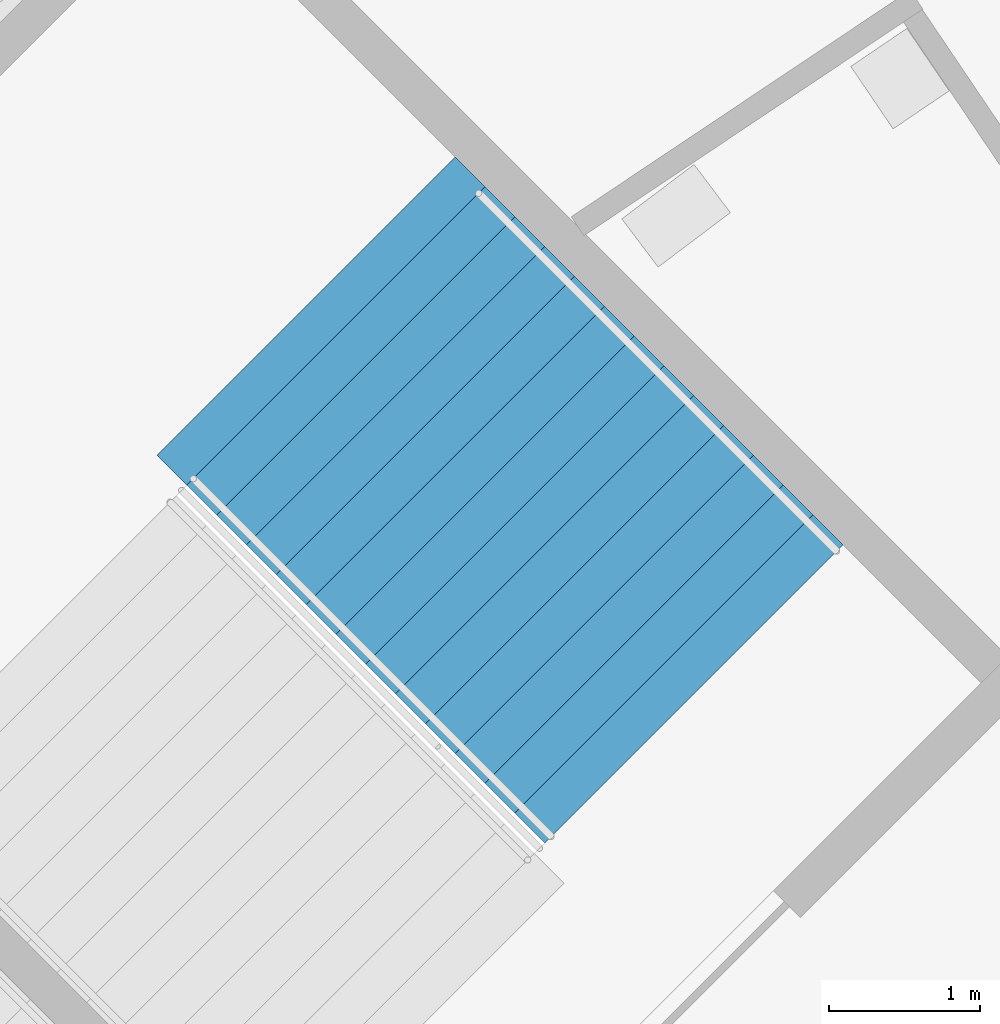
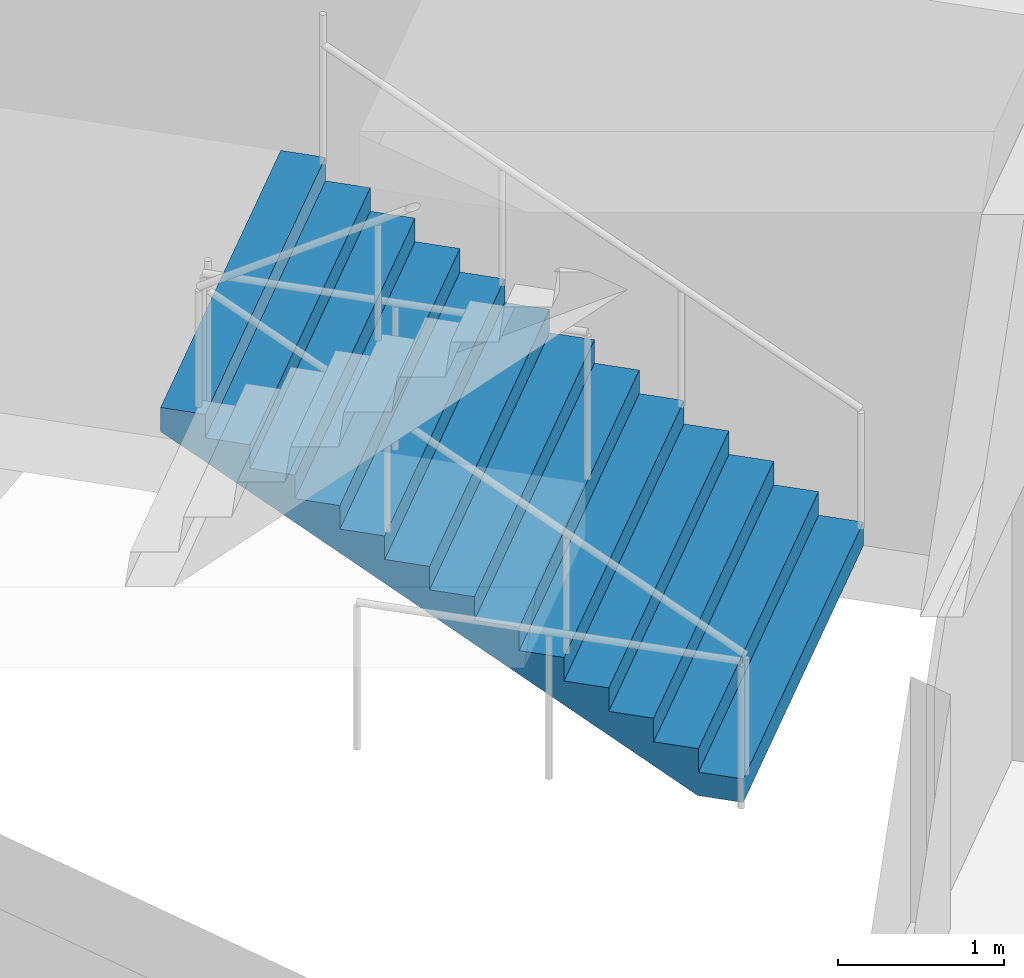
# One storey, part 139 of 177: 1 stair flight, 1 element without a shape of its own.
"""IFC4 building model written with IfcOpenShell, lengths in metres."""

from ifc_helpers import new_model, si_unit, direction, frame, origin, place, context, subcontext, project, spatial, faceted_brep, material, type_object, element, aggregate, save


model = new_model("IFC4")

# Units and contexts
model_context = context("Model", 3, precision=1e-05, world=origin(), true_north=direction((0.0, 1.0)))
body_context = subcontext(model_context, "Body", "Model", "MODEL_VIEW")
ifc_project = project(units=[si_unit("LENGTHUNIT", "METRE"), si_unit("AREAUNIT", "SQUARE_METRE"), si_unit("VOLUMEUNIT", "CUBIC_METRE"), si_unit("PLANEANGLEUNIT", "RADIAN"), si_unit("MASSUNIT", "GRAM", prefix="KILO")], contexts=[model_context])

# Site, building, storey
site_placement = place(None, origin())
site = spatial("IfcSite", under=ifc_project, at=site_placement, CompositionType="ELEMENT")
building_placement = place(site_placement, origin())
building = spatial("IfcBuilding", under=site, at=building_placement, Name="Ogive Plaza Stadium", CompositionType="ELEMENT")
storey_placement = place(building_placement, frame((0.0, 0.0, 18.0)))
storey = spatial("IfcBuildingStorey", under=building, at=storey_placement, Name="L04", CompositionType="ELEMENT", Elevation=18.0)

# Stair, stair flight
ifc_material_1 = material(Name="Concrete C40/50", Category="concrete")
stair_type = type_object("IfcStairType", Name="Exit stair", PredefinedType="STRAIGHT_RUN_STAIR", material=ifc_material_1)
stair_placement = place(storey_placement, origin())
stair = element("IfcStair", 1, at=stair_placement, inside=storey, type_object=stair_type, Name="Exit stair ST30A L04 to L05", PredefinedType="STRAIGHT_RUN_STAIR")
ifc_material_2 = material(Name="Concrete C40/50", Category="concrete")
stair_flight_type = type_object("IfcStairFlightType", Name="Exit stair flight", PredefinedType="STRAIGHT", material=ifc_material_2)
stair_flight_placement = place(storey_placement, frame((-60.817138671875, 85.574951171875, 0.0), z_axis=(0.0, 0.0, 1.0), x_axis=(-0.707106781187, 0.707106781187, 0.0)))
stair_flight = element("IfcStairFlight", 2, at=stair_flight_placement, type_object=stair_flight_type, Name="ST30A flight 1", NumberOfRisers=13, NumberOfTreads=12, PredefinedType="STRAIGHT", RiserHeight=0.173076923, TreadLength=0.28, context=body_context, shape_type="Brep", body=[
    faceted_brep([(0.28515625, -1.39990234375, 0.0), (3.639892578125, -1.39990234375, 2.07373046875), (3.639892578125, -1.39990234375, 2.25), (3.360107421875, -1.39990234375, 2.25), (3.360107421875, -1.39990234375, 2.076904296875), (3.080078125, -1.39990234375, 2.076904296875), (3.080078125, -1.39990234375, 1.90380859375), (2.800048828125, -1.39990234375, 1.90380859375), (2.800048828125, -1.39990234375, 1.730712890625), (2.52001953125, -1.39990234375, 1.730712890625), (2.52001953125, -1.39990234375, 1.5576171875), (2.239990234375, -1.39990234375, 1.5576171875), (2.239990234375, -1.39990234375, 1.384521484375), (1.9599609375, -1.39990234375, 1.384521484375), (1.9599609375, -1.39990234375, 1.21142578125), (1.679931640625, -1.39990234375, 1.21142578125), (1.679931640625, -1.39990234375, 1.03857421875), (1.39990234375, -1.39990234375, 1.03857421875), (1.39990234375, -1.39990234375, 0.865478515625), (1.1201171875, -1.39990234375, 0.865478515625), (1.1201171875, -1.39990234375, 0.6923828125), (0.840087890625, -1.39990234375, 0.6923828125), (0.840087890625, -1.39990234375, 0.519287109375), (0.56005859375, -1.39990234375, 0.519287109375), (0.56005859375, -1.39990234375, 0.34619140625), (0.280029296875, -1.39990234375, 0.34619140625), (0.280029296875, -1.39990234375, 0.173095703125), (0.0, -1.39990234375, 0.173095703125), (0.0, -1.39990234375, 0.0), (0.0, 1.39990234375, 0.0), (0.0, 1.39990234375, 0.173095703125), (0.280029296875, 1.39990234375, 0.173095703125), (0.280029296875, 1.39990234375, 0.34619140625), (0.56005859375, 1.39990234375, 0.34619140625), (0.56005859375, 1.39990234375, 0.519287109375), (0.840087890625, 1.39990234375, 0.519287109375), (0.840087890625, 1.39990234375, 0.6923828125), (1.1201171875, 1.39990234375, 0.6923828125), (1.1201171875, 1.39990234375, 0.865478515625), (1.39990234375, 1.39990234375, 0.865478515625), (1.39990234375, 1.39990234375, 1.03857421875), (1.679931640625, 1.39990234375, 1.03857421875), (1.679931640625, 1.39990234375, 1.21142578125), (1.9599609375, 1.39990234375, 1.21142578125), (1.9599609375, 1.39990234375, 1.384521484375), (2.239990234375, 1.39990234375, 1.384521484375), (2.239990234375, 1.39990234375, 1.5576171875), (2.52001953125, 1.39990234375, 1.5576171875), (2.52001953125, 1.39990234375, 1.730712890625), (2.800048828125, 1.39990234375, 1.730712890625), (2.800048828125, 1.39990234375, 1.90380859375), (3.080078125, 1.39990234375, 1.90380859375), (3.080078125, 1.39990234375, 2.076904296875), (3.360107421875, 1.39990234375, 2.076904296875), (3.360107421875, 1.39990234375, 2.25), (3.639892578125, 1.39990234375, 2.25), (3.639892578125, 1.39990234375, 2.07373046875), (0.28515625, 1.39990234375, 0.0), (0.28515625, -1.0888671875, 0.0), (3.639892578125, -1.0888671875, 2.07373046875), (0.28515625, -0.77783203125, 0.0), (3.639892578125, -0.77783203125, 2.07373046875), (0.28515625, -0.466796875, 0.0), (3.639892578125, -0.466796875, 2.07373046875), (0.28515625, -0.155517578125, 0.0), (3.639892578125, -0.155517578125, 2.07373046875), (0.28515625, 0.155517578125, 0.0), (3.639892578125, 0.155517578125, 2.07373046875), (0.28515625, 0.466796875, 0.0), (3.639892578125, 0.466796875, 2.07373046875), (0.28515625, 0.77783203125, 0.0), (3.639892578125, 0.77783203125, 2.07373046875), (0.28515625, 1.0888671875, 0.0), (3.639892578125, 1.0888671875, 2.07373046875), (3.639892578125, -1.0888671875, 2.25), (3.639892578125, -0.77783203125, 2.25), (3.639892578125, -0.466796875, 2.25), (3.639892578125, -0.155517578125, 2.25), (3.639892578125, 0.155517578125, 2.25), (3.639892578125, 0.466796875, 2.25), (3.639892578125, 0.77783203125, 2.25), (3.639892578125, 1.0888671875, 2.25), (3.360107421875, -1.0888671875, 2.25), (3.360107421875, -0.77783203125, 2.25), (3.360107421875, -0.466796875, 2.25), (3.360107421875, -0.155517578125, 2.25), (3.360107421875, 0.155517578125, 2.25), (3.360107421875, 0.466796875, 2.25), (3.360107421875, 0.77783203125, 2.25), (3.360107421875, 1.0888671875, 2.25), (3.360107421875, -1.0888671875, 2.076904296875), (3.360107421875, -0.77783203125, 2.076904296875), (3.360107421875, -0.466796875, 2.076904296875), (3.360107421875, -0.155517578125, 2.076904296875), (3.360107421875, 0.155517578125, 2.076904296875), (3.360107421875, 0.466796875, 2.076904296875), (3.360107421875, 0.77783203125, 2.076904296875), (3.360107421875, 1.0888671875, 2.076904296875), (3.080078125, -1.0888671875, 2.076904296875), (3.080078125, -0.77783203125, 2.076904296875), (3.080078125, -0.466796875, 2.076904296875), (3.080078125, -0.155517578125, 2.076904296875), (3.080078125, 0.155517578125, 2.076904296875), (3.080078125, 0.466796875, 2.076904296875), (3.080078125, 0.77783203125, 2.076904296875), (3.080078125, 1.0888671875, 2.076904296875), (3.080078125, -1.0888671875, 1.90380859375), (3.080078125, -0.77783203125, 1.90380859375), (3.080078125, -0.466796875, 1.90380859375), (3.080078125, -0.155517578125, 1.90380859375), (3.080078125, 0.155517578125, 1.90380859375), (3.080078125, 0.466796875, 1.90380859375), (3.080078125, 0.77783203125, 1.90380859375), (3.080078125, 1.0888671875, 1.90380859375), (2.800048828125, -1.0888671875, 1.90380859375), (2.800048828125, -0.77783203125, 1.90380859375), (2.800048828125, -0.466796875, 1.90380859375), (2.800048828125, -0.155517578125, 1.90380859375), (2.800048828125, 0.155517578125, 1.90380859375), (2.800048828125, 0.466796875, 1.90380859375), (2.800048828125, 0.77783203125, 1.90380859375), (2.800048828125, 1.0888671875, 1.90380859375), (2.800048828125, -1.0888671875, 1.730712890625), (2.800048828125, -0.77783203125, 1.730712890625), (2.800048828125, -0.466796875, 1.730712890625), (2.800048828125, -0.155517578125, 1.730712890625), (2.800048828125, 0.155517578125, 1.730712890625), (2.800048828125, 0.466796875, 1.730712890625), (2.800048828125, 0.77783203125, 1.730712890625), (2.800048828125, 1.0888671875, 1.730712890625), (2.52001953125, -1.0888671875, 1.730712890625), (2.52001953125, -0.77783203125, 1.730712890625), (2.52001953125, -0.466796875, 1.730712890625), (2.52001953125, -0.155517578125, 1.730712890625), (2.52001953125, 0.155517578125, 1.730712890625), (2.52001953125, 0.466796875, 1.730712890625), (2.52001953125, 0.77783203125, 1.730712890625), (2.52001953125, 1.0888671875, 1.730712890625), (2.52001953125, -1.0888671875, 1.5576171875), (2.52001953125, -0.77783203125, 1.5576171875), (2.52001953125, -0.466796875, 1.5576171875), (2.52001953125, -0.155517578125, 1.5576171875), (2.52001953125, 0.155517578125, 1.5576171875), (2.52001953125, 0.466796875, 1.5576171875), (2.52001953125, 0.77783203125, 1.5576171875), (2.52001953125, 1.0888671875, 1.5576171875), (2.239990234375, -1.0888671875, 1.5576171875), (2.239990234375, -0.77783203125, 1.5576171875), (2.239990234375, -0.466796875, 1.5576171875), (2.239990234375, -0.155517578125, 1.5576171875), (2.239990234375, 0.155517578125, 1.5576171875), (2.239990234375, 0.466796875, 1.5576171875), (2.239990234375, 0.77783203125, 1.5576171875), (2.239990234375, 1.0888671875, 1.5576171875), (2.239990234375, -1.0888671875, 1.384521484375), (2.239990234375, -0.77783203125, 1.384521484375), (2.239990234375, -0.466796875, 1.384521484375), (2.239990234375, -0.155517578125, 1.384521484375), (2.239990234375, 0.155517578125, 1.384521484375), (2.239990234375, 0.466796875, 1.384521484375), (2.239990234375, 0.77783203125, 1.384521484375), (2.239990234375, 1.0888671875, 1.384521484375), (1.9599609375, -1.0888671875, 1.384521484375), (1.9599609375, -0.77783203125, 1.384521484375), (1.9599609375, -0.466796875, 1.384521484375), (1.9599609375, -0.155517578125, 1.384521484375), (1.9599609375, 0.155517578125, 1.384521484375), (1.9599609375, 0.466796875, 1.384521484375), (1.9599609375, 0.77783203125, 1.384521484375), (1.9599609375, 1.0888671875, 1.384521484375), (1.9599609375, -1.0888671875, 1.21142578125), (1.9599609375, -0.77783203125, 1.21142578125), (1.9599609375, -0.466796875, 1.21142578125), (1.9599609375, -0.155517578125, 1.21142578125), (1.9599609375, 0.155517578125, 1.21142578125), (1.9599609375, 0.466796875, 1.21142578125), (1.9599609375, 0.77783203125, 1.21142578125), (1.9599609375, 1.0888671875, 1.21142578125), (1.679931640625, -1.0888671875, 1.21142578125), (1.679931640625, -0.77783203125, 1.21142578125), (1.679931640625, -0.466796875, 1.21142578125), (1.679931640625, -0.155517578125, 1.21142578125), (1.679931640625, 0.155517578125, 1.21142578125), (1.679931640625, 0.466796875, 1.21142578125), (1.679931640625, 0.77783203125, 1.21142578125), (1.679931640625, 1.0888671875, 1.21142578125), (1.679931640625, -1.0888671875, 1.03857421875), (1.679931640625, -0.77783203125, 1.03857421875), (1.679931640625, -0.466796875, 1.03857421875), (1.679931640625, -0.155517578125, 1.03857421875), (1.679931640625, 0.155517578125, 1.03857421875), (1.679931640625, 0.466796875, 1.03857421875), (1.679931640625, 0.77783203125, 1.03857421875), (1.679931640625, 1.0888671875, 1.03857421875), (1.39990234375, -1.0888671875, 1.03857421875), (1.39990234375, -0.77783203125, 1.03857421875), (1.39990234375, -0.466796875, 1.03857421875), (1.39990234375, -0.155517578125, 1.03857421875), (1.39990234375, 0.155517578125, 1.03857421875), (1.39990234375, 0.466796875, 1.03857421875), (1.39990234375, 0.77783203125, 1.03857421875), (1.39990234375, 1.0888671875, 1.03857421875), (1.39990234375, -1.0888671875, 0.865478515625), (1.39990234375, -0.77783203125, 0.865478515625), (1.39990234375, -0.466796875, 0.865478515625), (1.39990234375, -0.155517578125, 0.865478515625), (1.39990234375, 0.155517578125, 0.865478515625), (1.39990234375, 0.466796875, 0.865478515625), (1.39990234375, 0.77783203125, 0.865478515625), (1.39990234375, 1.0888671875, 0.865478515625), (1.1201171875, -1.0888671875, 0.865478515625), (1.1201171875, -0.77783203125, 0.865478515625), (1.1201171875, -0.466796875, 0.865478515625), (1.1201171875, -0.155517578125, 0.865478515625), (1.1201171875, 0.155517578125, 0.865478515625), (1.1201171875, 0.466796875, 0.865478515625), (1.1201171875, 0.77783203125, 0.865478515625), (1.1201171875, 1.0888671875, 0.865478515625), (1.1201171875, -1.0888671875, 0.6923828125), (1.1201171875, -0.77783203125, 0.6923828125), (1.1201171875, -0.466796875, 0.6923828125), (1.1201171875, -0.155517578125, 0.6923828125), (1.1201171875, 0.155517578125, 0.6923828125), (1.1201171875, 0.466796875, 0.6923828125), (1.1201171875, 0.77783203125, 0.6923828125), (1.1201171875, 1.0888671875, 0.6923828125), (0.840087890625, -1.0888671875, 0.6923828125), (0.840087890625, -0.77783203125, 0.6923828125), (0.840087890625, -0.466796875, 0.6923828125), (0.840087890625, -0.155517578125, 0.6923828125), (0.840087890625, 0.155517578125, 0.6923828125), (0.840087890625, 0.466796875, 0.6923828125), (0.840087890625, 0.77783203125, 0.6923828125), (0.840087890625, 1.0888671875, 0.6923828125), (0.840087890625, -1.0888671875, 0.519287109375), (0.840087890625, -0.77783203125, 0.519287109375), (0.840087890625, -0.466796875, 0.519287109375), (0.840087890625, -0.155517578125, 0.519287109375), (0.840087890625, 0.155517578125, 0.519287109375), (0.840087890625, 0.466796875, 0.519287109375), (0.840087890625, 0.77783203125, 0.519287109375), (0.840087890625, 1.0888671875, 0.519287109375), (0.56005859375, -1.0888671875, 0.519287109375), (0.56005859375, -0.77783203125, 0.519287109375), (0.56005859375, -0.466796875, 0.519287109375), (0.56005859375, -0.155517578125, 0.519287109375), (0.56005859375, 0.155517578125, 0.519287109375), (0.56005859375, 0.466796875, 0.519287109375), (0.56005859375, 0.77783203125, 0.519287109375), (0.56005859375, 1.0888671875, 0.519287109375), (0.56005859375, -1.0888671875, 0.34619140625), (0.56005859375, -0.77783203125, 0.34619140625), (0.56005859375, -0.466796875, 0.34619140625), (0.56005859375, -0.155517578125, 0.34619140625), (0.56005859375, 0.155517578125, 0.34619140625), (0.56005859375, 0.466796875, 0.34619140625), (0.56005859375, 0.77783203125, 0.34619140625), (0.56005859375, 1.0888671875, 0.34619140625), (0.280029296875, -1.0888671875, 0.34619140625), (0.280029296875, -0.77783203125, 0.34619140625), (0.280029296875, -0.466796875, 0.34619140625), (0.280029296875, -0.155517578125, 0.34619140625), (0.280029296875, 0.155517578125, 0.34619140625), (0.280029296875, 0.466796875, 0.34619140625), (0.280029296875, 0.77783203125, 0.34619140625), (0.280029296875, 1.0888671875, 0.34619140625), (0.280029296875, -1.0888671875, 0.173095703125), (0.280029296875, -0.77783203125, 0.173095703125), (0.280029296875, -0.466796875, 0.173095703125), (0.280029296875, -0.155517578125, 0.173095703125), (0.280029296875, 0.155517578125, 0.173095703125), (0.280029296875, 0.466796875, 0.173095703125), (0.280029296875, 0.77783203125, 0.173095703125), (0.280029296875, 1.0888671875, 0.173095703125), (0.0, -1.0888671875, 0.173095703125), (0.0, -0.77783203125, 0.173095703125), (0.0, -0.466796875, 0.173095703125), (0.0, -0.155517578125, 0.173095703125), (0.0, 0.155517578125, 0.173095703125), (0.0, 0.466796875, 0.173095703125), (0.0, 0.77783203125, 0.173095703125), (0.0, 1.0888671875, 0.173095703125), (0.0, -1.0888671875, 0.0), (0.0, -0.77783203125, 0.0), (0.0, -0.466796875, 0.0), (0.0, -0.155517578125, 0.0), (0.0, 0.155517578125, 0.0), (0.0, 0.466796875, 0.0), (0.0, 0.77783203125, 0.0), (0.0, 1.0888671875, 0.0)], [[[0, 1, 2, 3, 4, 5, 6, 7, 8, 9, 10, 11, 12, 13, 14, 15, 16, 17, 18, 19, 20, 21, 22, 23, 24, 25, 26, 27, 28]], [[29, 30, 31, 32, 33, 34, 35, 36, 37, 38, 39, 40, 41, 42, 43, 44, 45, 46, 47, 48, 49, 50, 51, 52, 53, 54, 55, 56, 57]], [[0, 58, 59, 1]], [[58, 60, 61, 59]], [[60, 62, 63, 61]], [[62, 64, 65, 63]], [[64, 66, 67, 65]], [[66, 68, 69, 67]], [[68, 70, 71, 69]], [[70, 72, 73, 71]], [[72, 57, 56, 73]], [[1, 59, 74, 2]], [[59, 61, 75, 74]], [[61, 63, 76, 75]], [[63, 65, 77, 76]], [[65, 67, 78, 77]], [[67, 69, 79, 78]], [[69, 71, 80, 79]], [[71, 73, 81, 80]], [[73, 56, 55, 81]], [[2, 74, 82, 3]], [[74, 75, 83, 82]], [[75, 76, 84, 83]], [[76, 77, 85, 84]], [[77, 78, 86, 85]], [[78, 79, 87, 86]], [[79, 80, 88, 87]], [[80, 81, 89, 88]], [[81, 55, 54, 89]], [[3, 82, 90, 4]], [[82, 83, 91, 90]], [[83, 84, 92, 91]], [[84, 85, 93, 92]], [[85, 86, 94, 93]], [[86, 87, 95, 94]], [[87, 88, 96, 95]], [[88, 89, 97, 96]], [[89, 54, 53, 97]], [[4, 90, 98, 5]], [[90, 91, 99, 98]], [[91, 92, 100, 99]], [[92, 93, 101, 100]], [[93, 94, 102, 101]], [[94, 95, 103, 102]], [[95, 96, 104, 103]], [[96, 97, 105, 104]], [[97, 53, 52, 105]], [[5, 98, 106, 6]], [[98, 99, 107, 106]], [[99, 100, 108, 107]], [[100, 101, 109, 108]], [[101, 102, 110, 109]], [[102, 103, 111, 110]], [[103, 104, 112, 111]], [[104, 105, 113, 112]], [[105, 52, 51, 113]], [[6, 106, 114, 7]], [[106, 107, 115, 114]], [[107, 108, 116, 115]], [[108, 109, 117, 116]], [[109, 110, 118, 117]], [[110, 111, 119, 118]], [[111, 112, 120, 119]], [[112, 113, 121, 120]], [[113, 51, 50, 121]], [[7, 114, 122, 8]], [[114, 115, 123, 122]], [[115, 116, 124, 123]], [[116, 117, 125, 124]], [[117, 118, 126, 125]], [[118, 119, 127, 126]], [[119, 120, 128, 127]], [[120, 121, 129, 128]], [[121, 50, 49, 129]], [[8, 122, 130, 9]], [[122, 123, 131, 130]], [[123, 124, 132, 131]], [[124, 125, 133, 132]], [[125, 126, 134, 133]], [[126, 127, 135, 134]], [[127, 128, 136, 135]], [[128, 129, 137, 136]], [[129, 49, 48, 137]], [[9, 130, 138, 10]], [[130, 131, 139, 138]], [[131, 132, 140, 139]], [[132, 133, 141, 140]], [[133, 134, 142, 141]], [[134, 135, 143, 142]], [[135, 136, 144, 143]], [[136, 137, 145, 144]], [[137, 48, 47, 145]], [[10, 138, 146, 11]], [[138, 139, 147, 146]], [[139, 140, 148, 147]], [[140, 141, 149, 148]], [[141, 142, 150, 149]], [[142, 143, 151, 150]], [[143, 144, 152, 151]], [[144, 145, 153, 152]], [[145, 47, 46, 153]], [[11, 146, 154, 12]], [[146, 147, 155, 154]], [[147, 148, 156, 155]], [[148, 149, 157, 156]], [[149, 150, 158, 157]], [[150, 151, 159, 158]], [[151, 152, 160, 159]], [[152, 153, 161, 160]], [[153, 46, 45, 161]], [[12, 154, 162, 13]], [[154, 155, 163, 162]], [[155, 156, 164, 163]], [[156, 157, 165, 164]], [[157, 158, 166, 165]], [[158, 159, 167, 166]], [[159, 160, 168, 167]], [[160, 161, 169, 168]], [[161, 45, 44, 169]], [[13, 162, 170, 14]], [[162, 163, 171, 170]], [[163, 164, 172, 171]], [[164, 165, 173, 172]], [[165, 166, 174, 173]], [[166, 167, 175, 174]], [[167, 168, 176, 175]], [[168, 169, 177, 176]], [[169, 44, 43, 177]], [[14, 170, 178, 15]], [[170, 171, 179, 178]], [[171, 172, 180, 179]], [[172, 173, 181, 180]], [[173, 174, 182, 181]], [[174, 175, 183, 182]], [[175, 176, 184, 183]], [[176, 177, 185, 184]], [[177, 43, 42, 185]], [[15, 178, 186, 16]], [[178, 179, 187, 186]], [[179, 180, 188, 187]], [[180, 181, 189, 188]], [[181, 182, 190, 189]], [[182, 183, 191, 190]], [[183, 184, 192, 191]], [[184, 185, 193, 192]], [[185, 42, 41, 193]], [[16, 186, 194, 17]], [[186, 187, 195, 194]], [[187, 188, 196, 195]], [[188, 189, 197, 196]], [[189, 190, 198, 197]], [[190, 191, 199, 198]], [[191, 192, 200, 199]], [[192, 193, 201, 200]], [[193, 41, 40, 201]], [[17, 194, 202, 18]], [[194, 195, 203, 202]], [[195, 196, 204, 203]], [[196, 197, 205, 204]], [[197, 198, 206, 205]], [[198, 199, 207, 206]], [[199, 200, 208, 207]], [[200, 201, 209, 208]], [[201, 40, 39, 209]], [[18, 202, 210, 19]], [[202, 203, 211, 210]], [[203, 204, 212, 211]], [[204, 205, 213, 212]], [[205, 206, 214, 213]], [[206, 207, 215, 214]], [[207, 208, 216, 215]], [[208, 209, 217, 216]], [[209, 39, 38, 217]], [[19, 210, 218, 20]], [[210, 211, 219, 218]], [[211, 212, 220, 219]], [[212, 213, 221, 220]], [[213, 214, 222, 221]], [[214, 215, 223, 222]], [[215, 216, 224, 223]], [[216, 217, 225, 224]], [[217, 38, 37, 225]], [[20, 218, 226, 21]], [[218, 219, 227, 226]], [[219, 220, 228, 227]], [[220, 221, 229, 228]], [[221, 222, 230, 229]], [[222, 223, 231, 230]], [[223, 224, 232, 231]], [[224, 225, 233, 232]], [[225, 37, 36, 233]], [[21, 226, 234, 22]], [[226, 227, 235, 234]], [[227, 228, 236, 235]], [[228, 229, 237, 236]], [[229, 230, 238, 237]], [[230, 231, 239, 238]], [[231, 232, 240, 239]], [[232, 233, 241, 240]], [[233, 36, 35, 241]], [[22, 234, 242, 23]], [[234, 235, 243, 242]], [[235, 236, 244, 243]], [[236, 237, 245, 244]], [[237, 238, 246, 245]], [[238, 239, 247, 246]], [[239, 240, 248, 247]], [[240, 241, 249, 248]], [[241, 35, 34, 249]], [[23, 242, 250, 24]], [[242, 243, 251, 250]], [[243, 244, 252, 251]], [[244, 245, 253, 252]], [[245, 246, 254, 253]], [[246, 247, 255, 254]], [[247, 248, 256, 255]], [[248, 249, 257, 256]], [[249, 34, 33, 257]], [[24, 250, 258, 25]], [[250, 251, 259, 258]], [[251, 252, 260, 259]], [[252, 253, 261, 260]], [[253, 254, 262, 261]], [[254, 255, 263, 262]], [[255, 256, 264, 263]], [[256, 257, 265, 264]], [[257, 33, 32, 265]], [[25, 258, 266, 26]], [[258, 259, 267, 266]], [[259, 260, 268, 267]], [[260, 261, 269, 268]], [[261, 262, 270, 269]], [[262, 263, 271, 270]], [[263, 264, 272, 271]], [[264, 265, 273, 272]], [[265, 32, 31, 273]], [[26, 266, 274, 27]], [[266, 267, 275, 274]], [[267, 268, 276, 275]], [[268, 269, 277, 276]], [[269, 270, 278, 277]], [[270, 271, 279, 278]], [[271, 272, 280, 279]], [[272, 273, 281, 280]], [[273, 31, 30, 281]], [[27, 274, 282, 28]], [[274, 275, 283, 282]], [[275, 276, 284, 283]], [[276, 277, 285, 284]], [[277, 278, 286, 285]], [[278, 279, 287, 286]], [[279, 280, 288, 287]], [[280, 281, 289, 288]], [[281, 30, 29, 289]], [[28, 282, 58, 0]], [[282, 283, 60, 58]], [[283, 284, 62, 60]], [[284, 285, 64, 62]], [[285, 286, 66, 64]], [[286, 287, 68, 66]], [[287, 288, 70, 68]], [[288, 289, 72, 70]], [[289, 29, 57, 72]]]),
])
aggregate(stair, [stair_flight])

save(model, "model.ifc")
